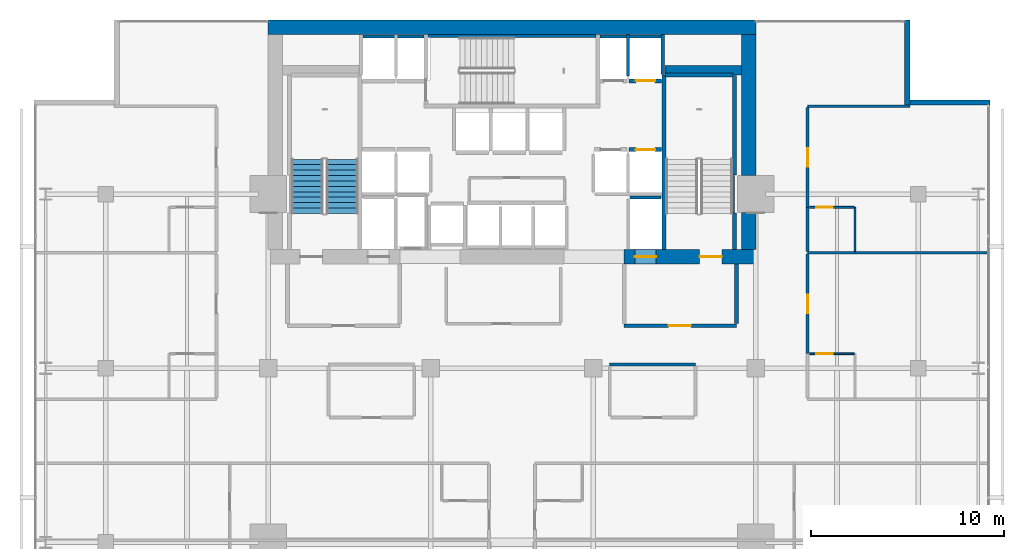
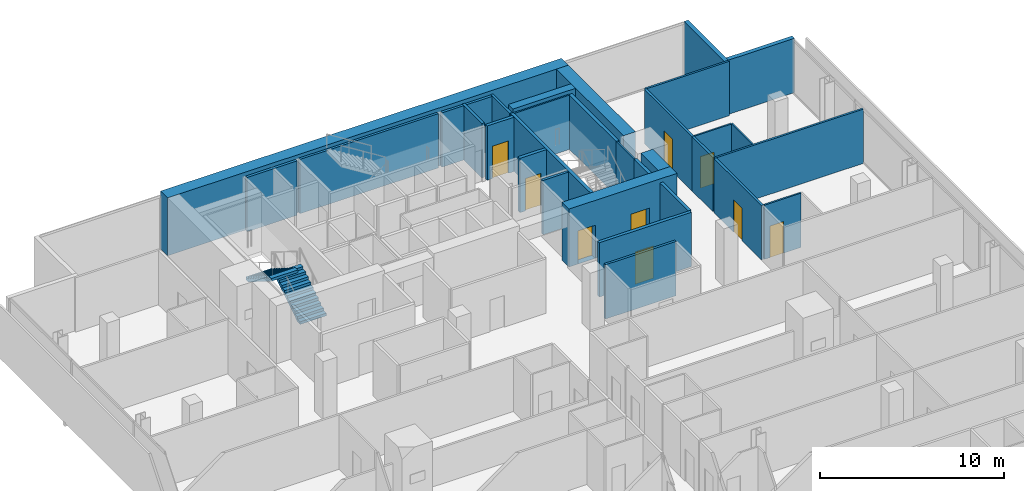
# One storey, part 31 of 34: 31 walls, 9 doors, 2 stair flights, 9 openings, 1 element without a shape of its own.
"""IFC4 building model written with IfcOpenShell, lengths in metres."""

from ifc_helpers import new_model, si_unit, direction, frame, frame_2d, origin, place, context, subcontext, project, spatial, polyline, rectangle, outline, extrude, material, layer, layer_set, type_object, element, fill, aggregate, save


model = new_model("IFC4")

# Units and contexts
model_context = context("Model", 3, precision=1e-05, world=origin(), true_north=direction((0.0, 1.0)))
body_context = subcontext(model_context, "Body", "Model", "MODEL_VIEW")
ifc_project = project(units=[si_unit("LENGTHUNIT", "METRE"), si_unit("AREAUNIT", "SQUARE_METRE"), si_unit("VOLUMEUNIT", "CUBIC_METRE"), si_unit("PLANEANGLEUNIT", "RADIAN"), si_unit("MASSUNIT", "GRAM", prefix="KILO")], contexts=[model_context])

# Site, building, storey
site_placement = place(None, origin())
site = spatial("IfcSite", under=ifc_project, at=site_placement, CompositionType="ELEMENT")
building_placement = place(site_placement, origin())
building = spatial("IfcBuilding", under=site, at=building_placement, Name="Maruvema Waterfront Hotel and Observation Tower", CompositionType="ELEMENT")
storey_placement = place(building_placement, frame((0.0, 0.0, 127.39990234375)))
storey = spatial("IfcBuildingStorey", under=building, at=storey_placement, Name="L30", CompositionType="ELEMENT", Elevation=127.39990234375)

# Wall
ifc_material_1 = material(Name="Twin-stud acoustic gypsum drywall", Category="gypsum")
ifc_layer_1 = layer(ifc_material_1, 0.14990234375, Name="Acoustic Corridor and Suite Demising Wall 150 mm")
ifc_layer_set_1 = layer_set([ifc_layer_1], Name="Twin-stud acoustic gypsum drywall")
wall_type_1 = type_object("IfcWallType", Name="Acoustic Corridor and Suite Demising Wall 150 mm", PredefinedType="PARTITIONING", material=ifc_layer_set_1)
wall_1_placement = place(storey_placement, frame((42.85009765625, 36.199951171875, 0.0), z_axis=(0.0, 0.0, 1.0), x_axis=(1.0, 0.0, 0.0)))
element("IfcWall", 1, at=wall_1_placement, inside=storey, type_object=wall_type_1, Name="L30 L30-M2 Back Wall 020", PredefinedType="PARTITIONING", context=body_context, shape_type="SweptSolid", body=[
    extrude(rectangle(XDim=4.429931640625, YDim=0.14990234375, at=frame_2d((2.21484375, 0.0))), origin(), (0.0, 0.0, 1.0), 3.610107421875),
])

# Wall, opening, door
wall_2_placement = place(storey_placement, frame((53.080078125, 36.75, 0.0), z_axis=(0.0, 0.0, 1.0), x_axis=(0.0, 1.0, 0.0)))
wall_2 = element("IfcWall", 2, at=wall_2_placement, inside=storey, type_object=wall_type_1, Name="L30 Room L30-NE1 Corridor Wall 119", PredefinedType="PARTITIONING", context=body_context, shape_type="SweptSolid", body=[
    extrude(rectangle(XDim=5.15869140625, YDim=0.14990234375, at=frame_2d((2.579345703125, 0.0))), origin(), (0.0, 0.0, 1.0), 3.610107421875),
])
opening_1_placement = place(wall_2_placement, frame((2.1044921875, 0.0, 0.0)))
opening_1 = element("IfcOpeningElement", 3, at=opening_1_placement, cuts=wall_2, Name="Opening DR-095", PredefinedType="OPENING", context=body_context, shape_type="SweptSolid", body=[
    extrude(rectangle(XDim=0.949951171875, YDim=2.14990234375, at=frame_2d((0.47509765625, 1.074951171875))), frame((0.0, 0.0849609375, 0.0), z_axis=(0.0, -1.0, 0.0), x_axis=(1.0, 0.0, 0.0)), (0.0, 0.0, 1.0), 0.169921875),
])
ifc_material_2 = material(Name="Acoustic solid-core hardwood timber leaf", Category="wood")
door_type_1 = type_object("IfcDoorType", Name="Guestroom Entrance Fire Door 950x2150 mm", OperationType="NOTDEFINED", PredefinedType="DOOR", material=ifc_material_2)
door_1_placement = place(opening_1_placement, frame((0.949951171875, 0.0, 0.0), z_axis=(0.0, 0.0, 1.0), x_axis=(-1.0, 0.0, 0.0)))
door_1 = element("IfcDoor", 4, at=door_1_placement, inside=storey, type_object=door_type_1, Name="L30 Room L30-NE1 Entrance Door", OperationType="SINGLE_SWING_RIGHT", OverallHeight=2.14990234375, OverallWidth=0.949951171875, PredefinedType="DOOR", context=body_context, shape_type="SweptSolid", body=[
    extrude(rectangle(XDim=0.949951171875, YDim=2.14990234375, at=frame_2d((0.47509765625, 1.074951171875))), frame((0.0, 0.02490234375, 0.0), z_axis=(0.0, -1.0, 0.0), x_axis=(1.0, 0.0, 0.0)), (0.0, 0.0, 1.0), 0.050048828125),
])
fill(opening_1, door_1)

# Wall
wall_3_placement = place(storey_placement, frame((53.080078125, 42.02880859375, 0.0), z_axis=(0.0, 0.0, 1.0), x_axis=(0.0, 1.0, 0.0)))
element("IfcWall", 5, at=wall_3_placement, inside=storey, type_object=wall_type_1, Name="L30 Bath L30-NE2 Wall 128", PredefinedType="PARTITIONING", context=body_context, shape_type="SweptSolid", body=[
    extrude(rectangle(XDim=2.2900390625, YDim=0.14990234375, at=frame_2d((1.14501953125, 0.0))), origin(), (0.0, 0.0, 1.0), 3.610107421875),
])

# Wall, opening, door
wall_4_placement = place(storey_placement, frame((53.080078125, 44.31884765625, 0.0), z_axis=(0.0, 0.0, 1.0), x_axis=(0.0, 1.0, 0.0)))
wall_4 = element("IfcWall", 6, at=wall_4_placement, inside=storey, type_object=wall_type_1, Name="L30 Room L30-NE2 Corridor Wall 129", PredefinedType="PARTITIONING", context=body_context, shape_type="SweptSolid", body=[
    extrude(rectangle(XDim=5.15869140625, YDim=0.14990234375, at=frame_2d((2.579345703125, 0.0))), origin(), (0.0, 0.0, 1.0), 3.610107421875),
])
opening_2_placement = place(wall_4_placement, frame((2.104248046875, 0.0, 0.0)))
opening_2 = element("IfcOpeningElement", 7, at=opening_2_placement, cuts=wall_4, Name="Opening DR-095", PredefinedType="OPENING", context=body_context, shape_type="SweptSolid", body=[
    extrude(rectangle(XDim=0.949951171875, YDim=2.14990234375, at=frame_2d((0.47509765625, 1.074951171875))), frame((0.0, 0.0849609375, 0.0), z_axis=(0.0, -1.0, 0.0), x_axis=(1.0, 0.0, 0.0)), (0.0, 0.0, 1.0), 0.169921875),
])
door_2_placement = place(opening_2_placement, frame((0.949951171875, 0.0, 0.0), z_axis=(0.0, 0.0, 1.0), x_axis=(-1.0, 0.0, 0.0)))
door_2 = element("IfcDoor", 8, at=door_2_placement, inside=storey, type_object=door_type_1, Name="L30 Room L30-NE2 Entrance Door", OperationType="SINGLE_SWING_RIGHT", OverallHeight=2.14990234375, OverallWidth=0.949951171875, PredefinedType="DOOR", context=body_context, shape_type="SweptSolid", body=[
    extrude(rectangle(XDim=0.949951171875, YDim=2.14990234375, at=frame_2d((0.47509765625, 1.074951171875))), frame((0.0, 0.02490234375, 0.0), z_axis=(0.0, -1.0, 0.0), x_axis=(1.0, 0.0, 0.0)), (0.0, 0.0, 1.0), 0.050048828125),
])
fill(opening_2, door_2)

# Walls
ifc_material_3 = material(Name="Precast concrete C45/55", Category="concrete")
ifc_layer_2 = layer(ifc_material_3, 0.14990234375, Name="Core Shaft Furring Wall 150 mm")
ifc_layer_set_2 = layer_set([ifc_layer_2], Name="Precast concrete C45/55")
wall_type_2 = type_object("IfcWallType", Name="Core Shaft Furring Wall 150 mm", PredefinedType="SOLIDWALL", material=ifc_layer_set_2)
wall_5_placement = place(storey_placement, frame((33.449951171875, 53.175048828125, 0.0), z_axis=(0.0, 0.0, 1.0), x_axis=(1.0, 0.0, 0.0)))
element("IfcWall", 9, at=wall_5_placement, inside=storey, type_object=wall_type_2, Name="L30 Stairwell ST-02 North Furring Wall", PredefinedType="SOLIDWALL", context=body_context, shape_type="SweptSolid", body=[
    extrude(rectangle(XDim=8.699951171875, YDim=0.14990234375, at=frame_2d((4.35009765625, 0.0))), origin(), (0.0, 0.0, 1.0), 3.610107421875),
])
ifc_material_4 = material(Name="Precast concrete C45/55", Category="concrete")
ifc_layer_3 = layer(ifc_material_4, 0.199951171875, Name="Core Shaft and Stairwell Enclosure Wall 200 mm")
ifc_layer_set_3 = layer_set([ifc_layer_3], Name="Precast concrete C45/55")
wall_type_3 = type_object("IfcWallType", Name="Core Shaft and Stairwell Enclosure Wall 200 mm", PredefinedType="SOLIDWALL", material=ifc_layer_set_3)
wall_6_placement = place(storey_placement, frame((45.64990234375, 42.14990234375, 0.0), z_axis=(0.0, 0.0, 1.0), x_axis=(0.0, 1.0, 0.0)))
element("IfcWall", 10, at=wall_6_placement, inside=storey, type_object=wall_type_3, Name="L30 Stairwell ST-03 West Shaft Wall", PredefinedType="SOLIDWALL", context=body_context, shape_type="SweptSolid", body=[
    extrude(rectangle(XDim=9.0, YDim=0.199951171875, at=frame_2d((4.5, 0.0))), origin(), (0.0, 0.0, 1.0), 3.610107421875),
])
wall_7_placement = place(storey_placement, frame((49.300048828125, 42.14990234375, 0.0), z_axis=(0.0, 0.0, 1.0), x_axis=(0.0, 1.0, 0.0)))
element("IfcWall", 11, at=wall_7_placement, inside=storey, type_object=wall_type_3, Name="L30 Stairwell ST-03 Shaft Lining Wall", PredefinedType="SOLIDWALL", context=body_context, shape_type="SweptSolid", body=[
    extrude(rectangle(XDim=1.8701171875, YDim=0.199951171875, at=frame_2d((0.93505859375, 0.0))), origin(), (0.0, 0.0, 1.0), 3.610107421875),
])
wall_8_placement = place(storey_placement, frame((49.300048828125, 45.97998046875, 0.0), z_axis=(0.0, 0.0, 1.0), x_axis=(0.0, 1.0, 0.0)))
element("IfcWall", 12, at=wall_8_placement, inside=storey, type_object=wall_type_3, Name="L30 Stairwell ST-03 Shaft Lining Wall", PredefinedType="SOLIDWALL", context=body_context, shape_type="SweptSolid", body=[
    extrude(rectangle(XDim=5.14013671875, YDim=0.199951171875, at=frame_2d((2.570068359375, 0.0))), origin(), (0.0, 0.0, 1.0), 3.610107421875),
])
wall_9_placement = place(storey_placement, frame((45.719970703125, 51.14990234375, 0.0), z_axis=(0.0, 0.0, 1.0), x_axis=(1.0, 0.0, 0.0)))
element("IfcWall", 13, at=wall_9_placement, inside=storey, type_object=wall_type_3, Name="L30 Stairwell ST-03 Shaft Lining Wall", PredefinedType="SOLIDWALL", context=body_context, shape_type="SweptSolid", body=[
    extrude(rectangle(XDim=3.5, YDim=0.199951171875, at=frame_2d((1.75, 0.0))), origin(), (0.0, 0.0, 1.0), 3.610107421875),
])

# Wall, opening, door
wall_10_placement = place(storey_placement, frame((43.860107421875, 47.300048828125, 0.0), z_axis=(0.0, 0.0, 1.0), x_axis=(1.0, 0.0, 0.0)))
wall_10 = element("IfcWall", 14, at=wall_10_placement, inside=storey, type_object=wall_type_3, Name="L30 Lift LF-06 Hoistway Front Wall", PredefinedType="SOLIDWALL", context=body_context, shape_type="SweptSolid", body=[
    extrude(rectangle(XDim=1.679931640625, YDim=0.199951171875, at=frame_2d((0.83984375, 0.0))), origin(), (0.0, 0.0, 1.0), 3.610107421875),
])
opening_3_placement = place(wall_10_placement, frame((0.340087890625, 0.0, 0.0)))
opening_3 = element("IfcOpeningElement", 15, at=opening_3_placement, cuts=wall_10, Name="Opening LD-01", PredefinedType="OPENING", context=body_context, shape_type="SweptSolid", body=[
    extrude(rectangle(XDim=1.0, YDim=2.14990234375, at=frame_2d((0.5, 1.074951171875))), frame((0.0, 0.10986328125, 0.0), z_axis=(0.0, -1.0, 0.0), x_axis=(1.0, 0.0, 0.0)), (0.0, 0.0, 1.0), 0.219970703125),
])
ifc_material_5 = material(Name="Brushed stainless steel Grade 316", Category="steel")
door_type_2 = type_object("IfcDoorType", Name="Passenger Lift Sliding Landing Door 1000x2150 mm", OperationType="SLIDING_TO_LEFT", PredefinedType="DOOR", material=ifc_material_5)
door_3_placement = place(opening_3_placement, origin())
door_3 = element("IfcDoor", 16, at=door_3_placement, inside=storey, type_object=door_type_2, Name="L30 Lift LF-06 Sliding Landing Door", OperationType="SLIDING_TO_LEFT", OverallHeight=2.14990234375, OverallWidth=1.0, PredefinedType="DOOR", context=body_context, shape_type="SweptSolid", body=[
    extrude(rectangle(XDim=1.0, YDim=2.14990234375, at=frame_2d((0.5, 1.074951171875))), frame((0.0, 0.02490234375, 0.0), z_axis=(0.0, -1.0, 0.0), x_axis=(1.0, 0.0, 0.0)), (0.0, 0.0, 1.0), 0.050048828125),
])
fill(opening_3, door_3)

wall_11_placement = place(storey_placement, frame((43.860107421875, 50.85009765625, 0.0), z_axis=(0.0, 0.0, 1.0), x_axis=(1.0, 0.0, 0.0)))
wall_11 = element("IfcWall", 17, at=wall_11_placement, inside=storey, type_object=wall_type_3, Name="L30 Lift LF-08 Hoistway Front Wall", PredefinedType="SOLIDWALL", context=body_context, shape_type="SweptSolid", body=[
    extrude(rectangle(XDim=1.679931640625, YDim=0.199951171875, at=frame_2d((0.83984375, 0.0))), origin(), (0.0, 0.0, 1.0), 3.610107421875),
])
opening_4_placement = place(wall_11_placement, frame((0.340087890625, 0.0, 0.0)))
opening_4 = element("IfcOpeningElement", 18, at=opening_4_placement, cuts=wall_11, Name="Opening LD-01", PredefinedType="OPENING", context=body_context, shape_type="SweptSolid", body=[
    extrude(rectangle(XDim=1.0, YDim=2.14990234375, at=frame_2d((0.5, 1.074951171875))), frame((0.0, 0.10986328125, 0.0), z_axis=(0.0, -1.0, 0.0), x_axis=(1.0, 0.0, 0.0)), (0.0, 0.0, 1.0), 0.219970703125),
])
door_4_placement = place(opening_4_placement, frame((1.0, 0.0, 0.0), z_axis=(0.0, 0.0, 1.0), x_axis=(-1.0, 0.0, 0.0)))
door_4 = element("IfcDoor", 19, at=door_4_placement, inside=storey, type_object=door_type_2, Name="L30 Lift LF-08 Sliding Landing Door", OperationType="SLIDING_TO_LEFT", OverallHeight=2.14990234375, OverallWidth=1.0, PredefinedType="DOOR", context=body_context, shape_type="SweptSolid", body=[
    extrude(rectangle(XDim=1.0, YDim=2.14990234375, at=frame_2d((0.5, 1.074951171875))), frame((0.0, 0.02490234375, 0.0), z_axis=(0.0, -1.0, 0.0), x_axis=(1.0, 0.0, 0.0)), (0.0, 0.0, 1.0), 0.050048828125),
])
fill(opening_4, door_4)

# Walls
ifc_material_6 = material(Name="Concrete C70/85", Category="concrete")
ifc_layer_4 = layer(ifc_material_6, 0.5, Name="Core Shear Wall 500 mm")
ifc_layer_set_4 = layer_set([ifc_layer_4], Name="Concrete C70/85")
wall_type_4 = type_object("IfcWallType", Name="Core Shear Wall 500 mm", PredefinedType="SHEAR", material=ifc_layer_set_4)
wall_12_placement = place(storey_placement, frame((45.699951171875, 51.39990234375, 0.0), z_axis=(0.0, 0.0, 1.0), x_axis=(1.0, 0.0, 0.0)))
element("IfcWall", 20, at=wall_12_placement, inside=storey, type_object=wall_type_4, Name="L30 Internal Core Shear Wall NE 500 mm", PredefinedType="SHEAR", context=body_context, shape_type="SweptSolid", body=[
    extrude(rectangle(XDim=3.949951171875, YDim=0.5, at=frame_2d((1.97509765625, 0.0))), origin(), (0.0, 0.0, 1.0), 3.85009765625),
])
ifc_material_7 = material(Name="Concrete C70/85", Category="concrete")
ifc_layer_5 = layer(ifc_material_7, 0.75, Name="Core Shear Wall 750 mm")
ifc_layer_set_5 = layer_set([ifc_layer_5], Name="Concrete C70/85")
wall_type_5 = type_object("IfcWallType", Name="Core Shear Wall 750 mm", PredefinedType="SHEAR", material=ifc_layer_set_5)
wall_13_placement = place(storey_placement, frame((25.199951171875, 53.625, 0.0), z_axis=(0.0, 0.0, 1.0), x_axis=(1.0, 0.0, 0.0)))
element("IfcWall", 21, at=wall_13_placement, inside=storey, type_object=wall_type_5, Name="L30 North Core Shear Wall", PredefinedType="SHEAR", context=body_context, shape_type="SweptSolid", body=[
    extrude(rectangle(XDim=25.199951171875, YDim=0.75, at=frame_2d((12.60009765625, 0.0))), origin(), (0.0, 0.0, 1.0), 3.85009765625),
])

# Wall, openings, doors
wall_14_placement = place(storey_placement, frame((43.60009765625, 41.77490234375, 0.0), z_axis=(0.0, 0.0, 1.0), x_axis=(1.0, 0.0, 0.0)))
wall_14 = element("IfcWall", 22, at=wall_14_placement, inside=storey, type_object=wall_type_5, Name="L30 South-East Core Shear Wall", PredefinedType="SHEAR", context=body_context, shape_type="SweptSolid", body=[
    extrude(rectangle(XDim=6.7998046875, YDim=0.75, at=frame_2d((3.39990234375, 0.0))), origin(), (0.0, 0.0, 1.0), 3.85009765625),
])
opening_5_placement = place(wall_14_placement, frame((3.89990234375, 0.0, 0.0)))
opening_5 = element("IfcOpeningElement", 23, at=opening_5_placement, cuts=wall_14, Name="Opening SD-01", PredefinedType="OPENING", context=body_context, shape_type="SweptSolid", body=[
    extrude(rectangle(XDim=1.14990234375, YDim=2.14990234375, at=frame_2d((0.574951171875, 1.074951171875))), frame((0.0, 0.385009765625, 0.0), z_axis=(0.0, -1.0, 0.0), x_axis=(1.0, 0.0, 0.0)), (0.0, 0.0, 1.0), 0.77001953125),
])
opening_6_placement = place(wall_14_placement, frame((0.550048828125, 0.0, 0.0)))
opening_6 = element("IfcOpeningElement", 24, at=opening_6_placement, cuts=wall_14, Name="Opening LD-03", PredefinedType="OPENING", context=body_context, shape_type="SweptSolid", body=[
    extrude(rectangle(XDim=1.10009765625, YDim=2.199951171875, at=frame_2d((0.550048828125, 1.10009765625))), frame((0.0, 0.385009765625, 0.0), z_axis=(0.0, -1.0, 0.0), x_axis=(1.0, 0.0, 0.0)), (0.0, 0.0, 1.0), 0.77001953125),
])
ifc_material_8 = material(Name="Fire-rated galvanised steel leaf", Category="steel")
door_type_3 = type_object("IfcDoorType", Name="Exit Stair Fire Door 1150x2150 mm", OperationType="NOTDEFINED", PredefinedType="DOOR", material=ifc_material_8)
door_5_placement = place(opening_5_placement, origin())
door_5 = element("IfcDoor", 25, at=door_5_placement, inside=storey, type_object=door_type_3, Name="L30 Exit Stair ST-03 Fire Door", OperationType="SINGLE_SWING_RIGHT", OverallHeight=2.14990234375, OverallWidth=1.14990234375, PredefinedType="DOOR", context=body_context, shape_type="SweptSolid", body=[
    extrude(rectangle(XDim=1.14990234375, YDim=2.14990234375, at=frame_2d((0.574951171875, 1.074951171875))), frame((0.0, 0.02490234375, 0.0), z_axis=(0.0, -1.0, 0.0), x_axis=(1.0, 0.0, 0.0)), (0.0, 0.0, 1.0), 0.050048828125),
])
fill(opening_5, door_5)
ifc_material_9 = material(Name="Brushed stainless steel Grade 316", Category="steel")
door_type_4 = type_object("IfcDoorType", Name="Firefighting Lift Sliding Landing Door 1100x2200 mm", OperationType="SLIDING_TO_LEFT", PredefinedType="DOOR", material=ifc_material_9)
door_6_placement = place(opening_6_placement, frame((1.10009765625, 0.0, 0.0), z_axis=(0.0, 0.0, 1.0), x_axis=(-1.0, 0.0, 0.0)))
door_6 = element("IfcDoor", 26, at=door_6_placement, inside=storey, type_object=door_type_4, Name="L30 Firefighting Lift FL-02 Landing Door", OperationType="SLIDING_TO_LEFT", OverallHeight=2.199951171875, OverallWidth=1.10009765625, PredefinedType="DOOR", context=body_context, shape_type="SweptSolid", body=[
    extrude(rectangle(XDim=1.10009765625, YDim=2.199951171875, at=frame_2d((0.550048828125, 1.10009765625))), frame((0.0, 0.02490234375, 0.0), z_axis=(0.0, -1.0, 0.0), x_axis=(1.0, 0.0, 0.0)), (0.0, 0.0, 1.0), 0.050048828125),
])
fill(opening_6, door_6)

# Walls
wall_15_placement = place(storey_placement, frame((50.02490234375, 42.14990234375, 0.0), z_axis=(0.0, 0.0, 1.0), x_axis=(0.0, 1.0, 0.0)))
element("IfcWall", 27, at=wall_15_placement, inside=storey, type_object=wall_type_5, Name="L30 East-South Core Shear Wall", PredefinedType="SHEAR", context=body_context, shape_type="SweptSolid", body=[
    extrude(rectangle(XDim=1.900146484375, YDim=0.75, at=frame_2d((0.9501953125, 0.0))), origin(), (0.0, 0.0, 1.0), 3.85009765625),
])
wall_16_placement = place(storey_placement, frame((50.02490234375, 45.949951171875, 0.0), z_axis=(0.0, 0.0, 1.0), x_axis=(0.0, 1.0, 0.0)))
element("IfcWall", 28, at=wall_16_placement, inside=storey, type_object=wall_type_5, Name="L30 East-North Core Shear Wall", PredefinedType="SHEAR", context=body_context, shape_type="SweptSolid", body=[
    extrude(rectangle(XDim=7.300048828125, YDim=0.75, at=frame_2d((3.64990234375, 0.0))), origin(), (0.0, 0.0, 1.0), 3.85009765625),
])

# Wall, opening, door
ifc_material_10 = material(Name="Moisture-resistant cement-board drywall", Category="gypsum")
ifc_layer_6 = layer(ifc_material_10, 0.10009765625, Name="En-Suite Moisture-Resistant Partition 100 mm")
ifc_layer_set_6 = layer_set([ifc_layer_6], Name="Moisture-resistant cement-board drywall")
wall_type_6 = type_object("IfcWallType", Name="En-Suite Moisture-Resistant Partition 100 mm", PredefinedType="PARTITIONING", material=ifc_layer_set_6)
wall_17_placement = place(storey_placement, frame((53.179931640625, 36.75, 0.0), z_axis=(0.0, 0.0, 1.0), x_axis=(1.0, 0.0, 0.0)))
wall_17 = element("IfcWall", 29, at=wall_17_placement, inside=storey, type_object=wall_type_6, Name="L30 En-Suite L30-NE1 N 121", PredefinedType="PARTITIONING", context=body_context, shape_type="SweptSolid", body=[
    extrude(rectangle(XDim=2.300048828125, YDim=0.10009765625, at=frame_2d((1.14990234375, 0.0))), origin(), (0.0, 0.0, 1.0), 3.610107421875),
])
opening_7_placement = place(wall_17_placement, frame((0.35009765625, 0.0, 0.0)))
opening_7 = element("IfcOpeningElement", 30, at=opening_7_placement, cuts=wall_17, Name="Opening DR-085", PredefinedType="OPENING", context=body_context, shape_type="SweptSolid", body=[
    extrude(rectangle(XDim=0.85009765625, YDim=2.10009765625, at=frame_2d((0.425048828125, 1.050048828125))), frame((0.0, 0.06005859375, 0.0), z_axis=(0.0, -1.0, 0.0), x_axis=(1.0, 0.0, 0.0)), (0.0, 0.0, 1.0), 0.1201171875),
])
ifc_material_11 = material(Name="Moisture-resistant solid timber leaf", Category="wood")
door_type_5 = type_object("IfcDoorType", Name="En-Suite Bathroom Door 850x2100 mm", OperationType="NOTDEFINED", PredefinedType="DOOR", material=ifc_material_11)
door_7_placement = place(opening_7_placement, origin())
door_7 = element("IfcDoor", 31, at=door_7_placement, inside=storey, type_object=door_type_5, Name="L30 En-Suite L30-NE1 Door", OperationType="SINGLE_SWING_LEFT", OverallHeight=2.10009765625, OverallWidth=0.85009765625, PredefinedType="DOOR", context=body_context, shape_type="SweptSolid", body=[
    extrude(rectangle(XDim=0.85009765625, YDim=2.10009765625, at=frame_2d((0.425048828125, 1.050048828125))), frame((0.0, 0.02490234375, 0.0), z_axis=(0.0, -1.0, 0.0), x_axis=(1.0, 0.0, 0.0)), (0.0, 0.0, 1.0), 0.050048828125),
])
fill(opening_7, door_7)

# Wall
wall_18_placement = place(storey_placement, frame((55.530029296875, 42.02880859375, 0.0), z_axis=(0.0, 0.0, 1.0), x_axis=(0.0, 1.0, 0.0)))
element("IfcWall", 32, at=wall_18_placement, inside=storey, type_object=wall_type_6, Name="L30 En-Suite L30-NE2 E 130", PredefinedType="PARTITIONING", context=body_context, shape_type="SweptSolid", body=[
    extrude(rectangle(XDim=2.2900390625, YDim=0.10009765625, at=frame_2d((1.14501953125, 0.0))), origin(), (0.0, 0.0, 1.0), 3.610107421875),
])

# Wall, opening, door
wall_19_placement = place(storey_placement, frame((53.179931640625, 44.31884765625, 0.0), z_axis=(0.0, 0.0, 1.0), x_axis=(1.0, 0.0, 0.0)))
wall_19 = element("IfcWall", 33, at=wall_19_placement, inside=storey, type_object=wall_type_6, Name="L30 En-Suite L30-NE2 N 131", PredefinedType="PARTITIONING", context=body_context, shape_type="SweptSolid", body=[
    extrude(rectangle(XDim=2.300048828125, YDim=0.10009765625, at=frame_2d((1.14990234375, 0.0))), origin(), (0.0, 0.0, 1.0), 3.610107421875),
])
opening_8_placement = place(wall_19_placement, frame((0.35009765625, 0.0, 0.0)))
opening_8 = element("IfcOpeningElement", 34, at=opening_8_placement, cuts=wall_19, Name="Opening DR-085", PredefinedType="OPENING", context=body_context, shape_type="SweptSolid", body=[
    extrude(rectangle(XDim=0.85009765625, YDim=2.10009765625, at=frame_2d((0.425048828125, 1.050048828125))), frame((0.0, 0.06005859375, 0.0), z_axis=(0.0, -1.0, 0.0), x_axis=(1.0, 0.0, 0.0)), (0.0, 0.0, 1.0), 0.1201171875),
])
door_8_placement = place(opening_8_placement, origin())
door_8 = element("IfcDoor", 35, at=door_8_placement, inside=storey, type_object=door_type_5, Name="L30 En-Suite L30-NE2 Door", OperationType="SINGLE_SWING_LEFT", OverallHeight=2.10009765625, OverallWidth=0.85009765625, PredefinedType="DOOR", context=body_context, shape_type="SweptSolid", body=[
    extrude(rectangle(XDim=0.85009765625, YDim=2.10009765625, at=frame_2d((0.425048828125, 1.050048828125))), frame((0.0, 0.02490234375, 0.0), z_axis=(0.0, -1.0, 0.0), x_axis=(1.0, 0.0, 0.0)), (0.0, 0.0, 1.0), 0.050048828125),
])
fill(opening_8, door_8)

# Walls
ifc_material_12 = material(Name="Precast concrete C45/55 with honed Pernambuco granite facing", Category="masonry")
ifc_layer_7 = layer(ifc_material_12, 0.260009765625, Name="Exterior Granite Clad Spandrel and Pier Wall 260 mm")
ifc_layer_set_7 = layer_set([ifc_layer_7], Name="Precast concrete C45/55 with honed Pernambuco granite facing")
wall_type_7 = type_object("IfcWallType", Name="Exterior Granite Clad Spandrel and Pier Wall 260 mm", PredefinedType="SOLIDWALL", material=ifc_layer_set_7)
for number, where, z_axis, x_axis, name in (
    (36, (58.22998046875, 54.0, 0.0), (0.0, 0.0, 1.0), (0.0, -1.0, 0.0), "L30 Corner Notch Granite Pier Wall NE1"),
    (37, (58.10009765625, 49.72998046875, 0.0), (0.0, 0.0, 1.0), (1.0, 0.0, 0.0), "L30 Corner Notch Granite Pier Wall NE2"),
):
    element("IfcWall", number, at=place(storey_placement, frame(where, z_axis=z_axis, x_axis=x_axis)), inside=storey, type_object=wall_type_7, Name=name, PredefinedType="SOLIDWALL", context=body_context, shape_type="SweptSolid", body=[
        extrude(rectangle(XDim=4.39990234375, YDim=0.260009765625, at=frame_2d((2.199951171875, 0.0))), origin(), (0.0, 0.0, 1.0), 3.610107421875),
    ])

# Wall, opening, door
ifc_material_13 = material(Name="Autoclaved cellular concrete blockwork", Category="masonry")
ifc_layer_8 = layer(ifc_material_13, 0.199951171875, Name="Fire Compartment Masonry Wall 200 mm")
ifc_layer_set_8 = layer_set([ifc_layer_8], Name="Autoclaved cellular concrete blockwork")
wall_type_8 = type_object("IfcWallType", Name="Fire Compartment Masonry Wall 200 mm", PredefinedType="PARTITIONING", material=ifc_layer_set_8)
wall_20_placement = place(storey_placement, frame((43.60009765625, 38.199951171875, 0.0), z_axis=(0.0, 0.0, 1.0), x_axis=(1.0, 0.0, 0.0)))
wall_20 = element("IfcWall", 38, at=wall_20_placement, inside=storey, type_object=wall_type_8, Name="L30 FFL East South Wall 004", PredefinedType="PARTITIONING", context=body_context, shape_type="SweptSolid", body=[
    extrude(rectangle(XDim=5.7998046875, YDim=0.199951171875, at=frame_2d((2.89990234375, 0.0))), origin(), (0.0, 0.0, 1.0), 3.610107421875),
])
opening_9_placement = place(wall_20_placement, frame((2.300048828125, 0.0, 0.0)))
opening_9 = element("IfcOpeningElement", 39, at=opening_9_placement, cuts=wall_20, Name="Opening FD-115", PredefinedType="OPENING", context=body_context, shape_type="SweptSolid", body=[
    extrude(rectangle(XDim=1.14990234375, YDim=2.14990234375, at=frame_2d((0.574951171875, 1.074951171875))), frame((0.0, 0.10986328125, 0.0), z_axis=(0.0, -1.0, 0.0), x_axis=(1.0, 0.0, 0.0)), (0.0, 0.0, 1.0), 0.219970703125),
])
ifc_material_14 = material(Name="Fire-rated galvanised steel and vision glass", Category="steel")
door_type_6 = type_object("IfcDoorType", Name="Firefighting Lobby Fire Door 1150x2150 mm", OperationType="NOTDEFINED", PredefinedType="DOOR", material=ifc_material_14)
door_9_placement = place(opening_9_placement, frame((1.14990234375, 0.0, 0.0), z_axis=(0.0, 0.0, 1.0), x_axis=(-1.0, 0.0, 0.0)))
door_9 = element("IfcDoor", 40, at=door_9_placement, inside=storey, type_object=door_type_6, Name="L30 Firefighting Lobby East Door", OperationType="SINGLE_SWING_LEFT", OverallHeight=2.14990234375, OverallWidth=1.14990234375, PredefinedType="DOOR", context=body_context, shape_type="SweptSolid", body=[
    extrude(rectangle(XDim=1.14990234375, YDim=2.14990234375, at=frame_2d((0.574951171875, 1.074951171875))), frame((0.0, 0.02490234375, 0.0), z_axis=(0.0, -1.0, 0.0), x_axis=(1.0, 0.0, 0.0)), (0.0, 0.0, 1.0), 0.050048828125),
])
fill(opening_9, door_9)

# Walls
wall_21_placement = place(storey_placement, frame((49.39990234375, 38.31005859375, 0.0), z_axis=(0.0, 0.0, 1.0), x_axis=(0.0, 1.0, 0.0)))
element("IfcWall", 41, at=wall_21_placement, inside=storey, type_object=wall_type_8, Name="L30 FFL East East Wall 006", PredefinedType="PARTITIONING", context=body_context, shape_type="SweptSolid", body=[
    extrude(rectangle(XDim=3.06982421875, YDim=0.199951171875, at=frame_2d((1.534912109375, 0.0))), origin(), (0.0, 0.0, 1.0), 3.610107421875),
])
ifc_material_15 = material(Name="Acoustic gypsum plasterboard drywall", Category="gypsum")
ifc_layer_9 = layer(ifc_material_15, 0.125, Name="Guestroom Acoustic Demising Wall 125 mm")
ifc_layer_set_9 = layer_set([ifc_layer_9], Name="Acoustic gypsum plasterboard drywall")
wall_type_9 = type_object("IfcWallType", Name="Guestroom Acoustic Demising Wall 125 mm", PredefinedType="PARTITIONING", material=ifc_layer_set_9)
wall_22_placement = place(storey_placement, frame((53.080078125, 49.53759765625, 0.0), z_axis=(0.0, 0.0, 1.0), x_axis=(1.0, 0.0, 0.0)))
element("IfcWall", 42, at=wall_22_placement, inside=storey, type_object=wall_type_9, Name="L30 Z2 NE Top End 113", PredefinedType="PARTITIONING", context=body_context, shape_type="SweptSolid", body=[
    extrude(rectangle(XDim=5.280029296875, YDim=0.125, at=frame_2d((2.64013671875, 0.0))), origin(), (0.0, 0.0, 1.0), 3.610107421875),
])
wall_23_placement = place(storey_placement, frame((53.080078125, 41.96875, 0.0), z_axis=(0.0, 0.0, 1.0), x_axis=(1.0, 0.0, 0.0)))
element("IfcWall", 43, at=wall_23_placement, inside=storey, type_object=wall_type_9, Name="L30 Z2 NE Demising 2 123", PredefinedType="PARTITIONING", context=body_context, shape_type="SweptSolid", body=[
    extrude(rectangle(XDim=9.31982421875, YDim=0.125, at=frame_2d((4.659912109375, 0.0))), origin(), (0.0, 0.0, 1.0), 3.610107421875),
])
ifc_material_16 = material(Name="Precast concrete C45/55", Category="concrete")
ifc_layer_10 = layer(ifc_material_16, 0.159912109375, Name="Lift Hoistway Divider Wall 160 mm")
ifc_layer_set_10 = layer_set([ifc_layer_10], Name="Precast concrete C45/55")
wall_type_10 = type_object("IfcWallType", Name="Lift Hoistway Divider Wall 160 mm", PredefinedType="SOLIDWALL", material=ifc_layer_set_10)
wall_24_placement = place(storey_placement, frame((43.89990234375, 44.830078125, 0.0), z_axis=(0.0, 0.0, 1.0), x_axis=(1.0, 0.0, 0.0)))
element("IfcWall", 44, at=wall_24_placement, inside=storey, type_object=wall_type_10, Name="L30 Lift FL-02 Rear Hoistway Wall", PredefinedType="SOLIDWALL", context=body_context, shape_type="SweptSolid", body=[
    extrude(rectangle(XDim=1.60009765625, YDim=0.159912109375, at=frame_2d((0.800048828125, 0.0))), origin(), (0.0, 0.0, 1.0), 3.610107421875),
])
wall_25_placement = place(storey_placement, frame((30.10009765625, 53.139892578125, 0.0), z_axis=(0.0, 0.0, 1.0), x_axis=(1.0, 0.0, 0.0)))
element("IfcWall", 45, at=wall_25_placement, inside=storey, type_object=wall_type_10, Name="L30 Hoistway Divider Wall", PredefinedType="SOLIDWALL", context=body_context, shape_type="SweptSolid", body=[
    extrude(rectangle(XDim=3.139892578125, YDim=0.159912109375, at=frame_2d((1.56982421875, 0.0))), origin(), (0.0, 0.0, 1.0), 3.610107421875),
])
wall_26_placement = place(storey_placement, frame((45.590087890625, 51.179931640625, 0.0), z_axis=(0.0, 0.0, 1.0), x_axis=(0.0, 1.0, 0.0)))
element("IfcWall", 46, at=wall_26_placement, inside=storey, type_object=wall_type_10, Name="L30 Hoistway Divider Wall", PredefinedType="SOLIDWALL", context=body_context, shape_type="SweptSolid", body=[
    extrude(rectangle(XDim=2.070068359375, YDim=0.159912109375, at=frame_2d((1.03515625, 0.0))), origin(), (0.0, 0.0, 1.0), 3.610107421875),
])
wall_27_placement = place(storey_placement, frame((43.800048828125, 51.10009765625, 0.0), z_axis=(0.0, 0.0, 1.0), x_axis=(0.0, 1.0, 0.0)))
element("IfcWall", 47, at=wall_27_placement, inside=storey, type_object=wall_type_10, Name="L30 Hoistway Divider Wall", PredefinedType="SOLIDWALL", context=body_context, shape_type="SweptSolid", body=[
    extrude(rectangle(XDim=2.14990234375, YDim=0.159912109375, at=frame_2d((1.074951171875, 0.0))), origin(), (0.0, 0.0, 1.0), 3.610107421875),
])
wall_28_placement = place(storey_placement, frame((42.360107421875, 53.139892578125, 0.0), z_axis=(0.0, 0.0, 1.0), x_axis=(1.0, 0.0, 0.0)))
element("IfcWall", 48, at=wall_28_placement, inside=storey, type_object=wall_type_10, Name="L30 Hoistway Divider Wall", PredefinedType="SOLIDWALL", context=body_context, shape_type="SweptSolid", body=[
    extrude(rectangle(XDim=3.139892578125, YDim=0.159912109375, at=frame_2d((1.56982421875, 0.0))), origin(), (0.0, 0.0, 1.0), 3.610107421875),
])
ifc_material_17 = material(Name="Precast concrete C45/55", Category="concrete")
ifc_layer_11 = layer(ifc_material_17, 0.10009765625, Name="Stairwell Stringer Cheek Wall 100 mm")
ifc_layer_set_11 = layer_set([ifc_layer_11], Name="Precast concrete C45/55")
wall_type_11 = type_object("IfcWallType", Name="Stairwell Stringer Cheek Wall 100 mm", PredefinedType="SOLIDWALL", material=ifc_layer_set_11)
wall_29_placement = place(storey_placement, frame((49.248046875, 44.0400390625, 0.0), z_axis=(0.0, 0.0, 1.0), x_axis=(0.0, 1.0, 0.0)))
element("IfcWall", 49, at=wall_29_placement, inside=storey, type_object=wall_type_11, Name="L30 Stairwell ST-03 Mega-Column Cheek Wall", PredefinedType="SOLIDWALL", context=body_context, shape_type="SweptSolid", body=[
    extrude(rectangle(XDim=1.919921875, YDim=0.10009765625, at=frame_2d((0.9599609375, 0.0))), origin(), (0.0, 0.0, 1.0), 3.610107421875),
])

# Stair, stair flights
ifc_material_18 = material(Name="Concrete C50/60", Category="concrete")
stair_type = type_object("IfcStairType", Name="Dogleg Exit Stair 1650 mm (22R x 175.0 mm)", PredefinedType="HALF_TURN_STAIR", material=ifc_material_18)
stair_placement = place(storey_placement, origin())
stair = element("IfcStair", 50, at=stair_placement, inside=storey, type_object=stair_type, Name="L30 ST-01", PredefinedType="HALF_TURN_STAIR")
ifc_material_19 = material(Name="Concrete C50/60", Category="concrete")
stair_flight_type = type_object("IfcStairFlightType", Name="Reinforced Concrete Stair Flight 1650 mm (11R x 175.0 mm)", PredefinedType="STRAIGHT", material=ifc_material_19)
stair_flight_1_placement = place(storey_placement, frame((29.02490234375, 44.0, 0.0), z_axis=(0.0, 0.0, 1.0), x_axis=(0.0, 1.0, 0.0)))
stair_flight_1 = element("IfcStairFlight", 51, at=stair_flight_1_placement, type_object=stair_flight_type, Name="ST-01 flight 1", NumberOfRisers=11, NumberOfTreads=10, PredefinedType="STRAIGHT", RiserHeight=0.175, TreadLength=0.28, context=body_context, shape_type="SweptSolid", body=[
    extrude(outline(polyline([(0.0, 0.0), (0.0, 0.175048828125), (0.280029296875, 0.175048828125), (0.280029296875, 0.35009765625), (0.56005859375, 0.35009765625), (0.56005859375, 0.52490234375), (0.840087890625, 0.52490234375), (0.840087890625, 0.699951171875), (1.1201171875, 0.699951171875), (1.1201171875, 0.875), (1.39990234375, 0.875), (1.39990234375, 1.050048828125), (1.679931640625, 1.050048828125), (1.679931640625, 1.22509765625), (1.9599609375, 1.22509765625), (1.9599609375, 1.39990234375), (2.239990234375, 1.39990234375), (2.239990234375, 1.574951171875), (2.52001953125, 1.574951171875), (2.52001953125, 1.75), (2.800048828125, 1.75), (2.800048828125, 1.925048828125), (2.800048828125, 1.5732421875), (0.28271484375, 0.0), (0.0, 0.0)])), frame((0.0, 0.824951171875, 0.0), z_axis=(0.0, -1.0, 0.0), x_axis=(1.0, 0.0, 0.0)), (0.0, 0.0, 1.0), 1.64990234375),
])
stair_flight_2_placement = place(storey_placement, frame((27.22509765625, 46.800048828125, 1.925048828125), z_axis=(0.0, 0.0, 1.0), x_axis=(0.0, -1.0, 0.0)))
stair_flight_2 = element("IfcStairFlight", 52, at=stair_flight_2_placement, type_object=stair_flight_type, Name="ST-01 flight 2", NumberOfRisers=11, NumberOfTreads=10, PredefinedType="STRAIGHT", RiserHeight=0.175, TreadLength=0.28, context=body_context, shape_type="SweptSolid", body=[
    extrude(outline(polyline([(0.0, 0.0), (0.0, 0.175048828125), (0.280029296875, 0.175048828125), (0.280029296875, 0.35009765625), (0.56005859375, 0.35009765625), (0.56005859375, 0.52490234375), (0.840087890625, 0.52490234375), (0.840087890625, 0.699951171875), (1.1201171875, 0.699951171875), (1.1201171875, 0.875), (1.39990234375, 0.875), (1.39990234375, 1.050048828125), (1.679931640625, 1.050048828125), (1.679931640625, 1.22509765625), (1.9599609375, 1.22509765625), (1.9599609375, 1.39990234375), (2.239990234375, 1.39990234375), (2.239990234375, 1.574951171875), (2.52001953125, 1.574951171875), (2.52001953125, 1.75), (2.800048828125, 1.75), (2.800048828125, 1.925048828125), (2.800048828125, 1.5732421875), (0.28271484375, 0.0), (0.0, 0.0)])), frame((0.0, 0.824951171875, 0.0), z_axis=(0.0, -1.0, 0.0), x_axis=(1.0, 0.0, 0.0)), (0.0, 0.0, 1.0), 1.64990234375),
])
aggregate(stair, [stair_flight_1, stair_flight_2])

save(model, "model.ifc")
